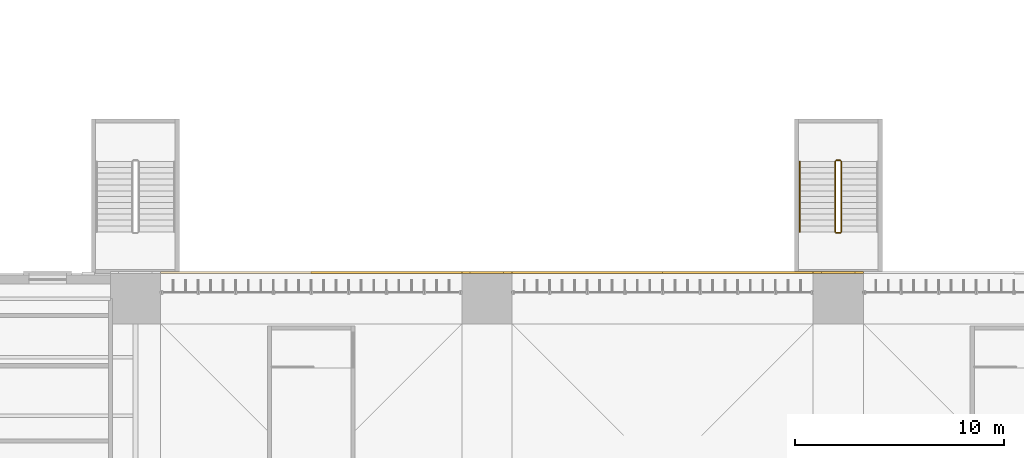
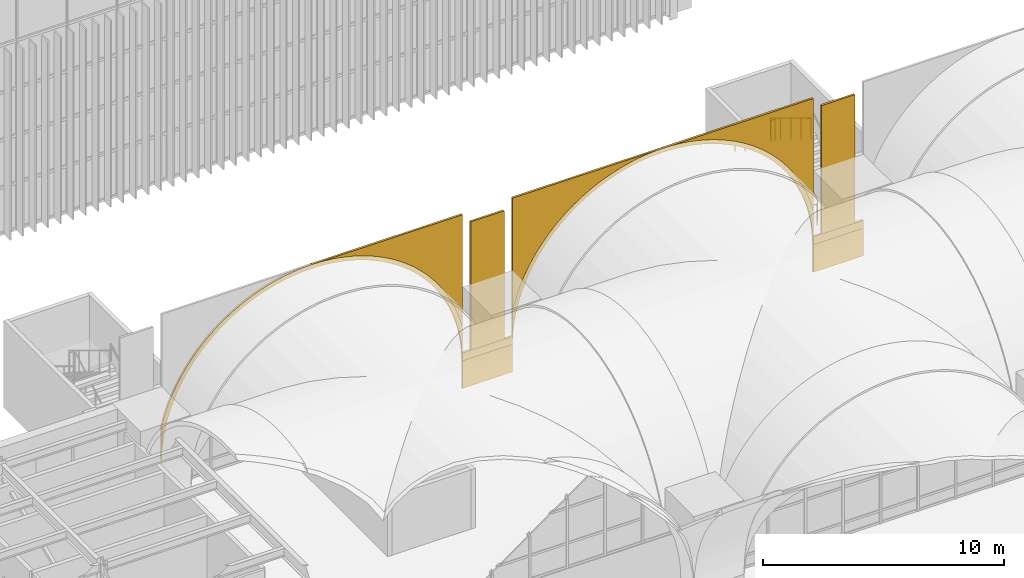
# One storey, part 152 of 169: 11 coverings, 5 railings.
"""IFC4 building model written with IfcOpenShell, lengths in metres."""

from ifc_helpers import new_model, si_unit, direction, frame, origin, origin_2d, place, context, subcontext, project, spatial, polyline, rectangle, circle, outline, extrude, material, layer, layer_set, type_object, element, save


model = new_model("IFC4")

# Units and contexts
model_context = context("Model", 3, precision=1e-05, world=origin(), true_north=direction((0.0, 1.0)))
body_context = subcontext(model_context, "Body", "Model", "MODEL_VIEW")
ifc_project = project(units=[si_unit("LENGTHUNIT", "METRE"), si_unit("AREAUNIT", "SQUARE_METRE"), si_unit("VOLUMEUNIT", "CUBIC_METRE"), si_unit("PLANEANGLEUNIT", "RADIAN"), si_unit("MASSUNIT", "GRAM", prefix="KILO")], contexts=[model_context])

# Site, building, storey
site_placement = place(None, origin())
site = spatial("IfcSite", under=ifc_project, at=site_placement, CompositionType="ELEMENT")
building_placement = place(site_placement, origin())
building = spatial("IfcBuilding", under=site, at=building_placement, Name="Verrick Yard Athletic Hall", CompositionType="ELEMENT")
storey_placement = place(building_placement, frame((0.0, 0.0, 4.39990234375)))
storey = spatial("IfcBuildingStorey", under=building, at=storey_placement, Name="L01", CompositionType="ELEMENT", Elevation=4.39990234375)

# Coverings
ifc_material_1 = material(Name="Limestone cladding", Category="masonry")
ifc_layer_1 = layer(ifc_material_1, 0.10009765625)
ifc_layer_set_1 = layer_set([ifc_layer_1], Name="Arch ring cladding")
covering_type_1 = type_object("IfcCoveringType", Name="Arch ring cladding", PredefinedType="CLADDING", material=ifc_layer_set_1)
covering_1_placement = place(storey_placement, frame((41.199951171875, 54.050048828125, 0.650146484375), z_axis=(0.0, 0.0, 1.0), x_axis=(1.0, 0.0, 0.0)))
element("IfcCovering", 1, at=covering_1_placement, inside=storey, type_object=covering_type_1, Name="Arch ring RN1", PredefinedType="CLADDING", context=body_context, shape_type="SweptSolid", body=[
    extrude(outline(polyline([(0.0, 1.7021484375), (0.0, 0.0), (0.0068359375, 0.31396484375), (0.02734375, 0.62744140625), (0.0615234375, 0.939697265625), (0.109375, 1.250244140625), (0.170654296875, 1.558349609375), (0.245361328125, 1.863525390625), (0.333251953125, 2.1650390625), (0.43408203125, 2.46240234375), (0.548095703125, 2.75537109375), (0.674560546875, 3.04296875), (0.8134765625, 3.324462890625), (0.964599609375, 3.599853515625), (1.127685546875, 3.86865234375), (1.302001953125, 4.129638671875), (1.48779296875, 4.383056640625), (1.6845703125, 4.6279296875), (1.8916015625, 4.8642578125), (2.10888671875, 5.091064453125), (2.335693359375, 5.308349609375), (2.572021484375, 5.515380859375), (2.81689453125, 5.712158203125), (3.0703125, 5.89794921875), (3.331298828125, 6.072265625), (3.60009765625, 6.2353515625), (3.87548828125, 6.386474609375), (4.156982421875, 6.525390625), (4.444580078125, 6.65185546875), (4.737548828125, 6.765869140625), (5.034912109375, 6.86669921875), (5.33642578125, 6.95458984375), (5.6416015625, 7.029296875), (5.94970703125, 7.090576171875), (6.26025390625, 7.138427734375), (6.572509765625, 7.172607421875), (6.885986328125, 7.193115234375), (7.199951171875, 7.199951171875), (7.51416015625, 7.193115234375), (7.827392578125, 7.172607421875), (8.139892578125, 7.138427734375), (8.4501953125, 7.090576171875), (8.75830078125, 7.029296875), (9.0634765625, 6.95458984375), (9.364990234375, 6.86669921875), (9.66259765625, 6.765869140625), (9.955322265625, 6.65185546875), (10.242919921875, 6.525390625), (10.524658203125, 6.386474609375), (10.800048828125, 6.2353515625), (11.068603515625, 6.072265625), (11.329833984375, 5.89794921875), (11.5830078125, 5.712158203125), (11.828125, 5.515380859375), (12.064208984375, 5.308349609375), (12.291259765625, 5.091064453125), (12.50830078125, 4.8642578125), (12.715576171875, 4.6279296875), (12.912109375, 4.383056640625), (13.097900390625, 4.129638671875), (13.2724609375, 3.86865234375), (13.435302734375, 3.599853515625), (13.58642578125, 3.324462890625), (13.725341796875, 3.04296875), (13.851806640625, 2.75537109375), (13.9658203125, 2.46240234375), (14.06689453125, 2.1650390625), (14.15478515625, 1.863525390625), (14.229248046875, 1.558349609375), (14.29052734375, 1.250244140625), (14.33837890625, 0.939697265625), (14.37255859375, 0.62744140625), (14.39306640625, 0.31396484375), (14.39990234375, 0.0), (14.39990234375, 1.7021484375), (14.347900390625, 1.915283203125), (14.257568359375, 2.22509765625), (14.15380859375, 2.53076171875), (14.03662109375, 2.831787109375), (13.90673828125, 3.12744140625), (13.763916015625, 3.416748046875), (13.608642578125, 3.699951171875), (13.441162109375, 3.975830078125), (13.26171875, 4.244384765625), (13.07080078125, 4.504638671875), (12.86865234375, 4.756591796875), (12.656005859375, 4.999267578125), (12.4326171875, 5.232666015625), (12.199462890625, 5.455810546875), (11.95654296875, 5.668701171875), (11.704833984375, 5.870849609375), (11.444580078125, 6.061767578125), (11.176025390625, 6.240966796875), (10.89990234375, 6.408447265625), (10.616943359375, 6.56396484375), (10.327392578125, 6.70654296875), (10.031982421875, 6.836669921875), (9.73095703125, 6.95361328125), (9.42529296875, 7.057373046875), (9.115234375, 7.14794921875), (8.8017578125, 7.224609375), (8.485107421875, 7.28759765625), (8.166015625, 7.336669921875), (7.844970703125, 7.371826171875), (7.522705078125, 7.39306640625), (7.199951171875, 7.39990234375), (6.877197265625, 7.39306640625), (6.554931640625, 7.371826171875), (6.234130859375, 7.336669921875), (5.9150390625, 7.28759765625), (5.598388671875, 7.224609375), (5.28466796875, 7.14794921875), (4.974853515625, 7.057373046875), (4.669189453125, 6.95361328125), (4.3681640625, 6.836669921875), (4.072509765625, 6.70654296875), (3.783203125, 6.56396484375), (3.5, 6.408447265625), (3.22412109375, 6.240966796875), (2.95556640625, 6.061767578125), (2.6953125, 5.870849609375), (2.443359375, 5.668701171875), (2.20068359375, 5.455810546875), (1.96728515625, 5.232666015625), (1.744140625, 4.999267578125), (1.53125, 4.756591796875), (1.3291015625, 4.504638671875), (1.13818359375, 4.244384765625), (0.958984375, 3.975830078125), (0.79150390625, 3.699951171875), (0.635986328125, 3.416748046875), (0.493408203125, 3.12744140625), (0.36328125, 2.831787109375), (0.246337890625, 2.53076171875), (0.142578125, 2.22509765625), (0.052001953125, 1.915283203125), (0.0, 1.7021484375)])), frame((0.0, 0.050048828125, 0.0), z_axis=(0.0, -1.0, 0.0), x_axis=(1.0, 0.0, 0.0)), (0.0, 0.0, 1.0), 0.10009765625),
])
covering_2_placement = place(storey_placement, frame((58.0, 54.050048828125, 0.650146484375), z_axis=(0.0, 0.0, 1.0), x_axis=(1.0, 0.0, 0.0)))
element("IfcCovering", 2, at=covering_2_placement, inside=storey, type_object=covering_type_1, Name="Arch ring RN2", PredefinedType="CLADDING", context=body_context, shape_type="SweptSolid", body=[
    extrude(outline(polyline([(0.0, 1.7021484375), (0.0, 0.0), (0.0068359375, 0.31396484375), (0.02734375, 0.62744140625), (0.0615234375, 0.939697265625), (0.109375, 1.250244140625), (0.170654296875, 1.558349609375), (0.245361328125, 1.863525390625), (0.333251953125, 2.1650390625), (0.43408203125, 2.46240234375), (0.548095703125, 2.75537109375), (0.674560546875, 3.04296875), (0.8134765625, 3.324462890625), (0.964599609375, 3.599853515625), (1.127685546875, 3.86865234375), (1.302001953125, 4.129638671875), (1.48779296875, 4.383056640625), (1.6845703125, 4.6279296875), (1.8916015625, 4.8642578125), (2.10888671875, 5.091064453125), (2.335693359375, 5.308349609375), (2.572021484375, 5.515380859375), (2.81689453125, 5.712158203125), (3.0703125, 5.89794921875), (3.331298828125, 6.072265625), (3.60009765625, 6.2353515625), (3.87548828125, 6.386474609375), (4.156982421875, 6.525390625), (4.444580078125, 6.65185546875), (4.737548828125, 6.765869140625), (5.034912109375, 6.86669921875), (5.33642578125, 6.95458984375), (5.6416015625, 7.029296875), (5.94970703125, 7.090576171875), (6.26025390625, 7.138427734375), (6.572509765625, 7.172607421875), (6.885986328125, 7.193115234375), (7.199951171875, 7.199951171875), (7.51416015625, 7.193115234375), (7.827392578125, 7.172607421875), (8.139892578125, 7.138427734375), (8.4501953125, 7.090576171875), (8.75830078125, 7.029296875), (9.0634765625, 6.95458984375), (9.364990234375, 6.86669921875), (9.66259765625, 6.765869140625), (9.955322265625, 6.65185546875), (10.242919921875, 6.525390625), (10.524658203125, 6.386474609375), (10.800048828125, 6.2353515625), (11.068603515625, 6.072265625), (11.329833984375, 5.89794921875), (11.5830078125, 5.712158203125), (11.828125, 5.515380859375), (12.064208984375, 5.308349609375), (12.291259765625, 5.091064453125), (12.50830078125, 4.8642578125), (12.715576171875, 4.6279296875), (12.912109375, 4.383056640625), (13.097900390625, 4.129638671875), (13.2724609375, 3.86865234375), (13.435302734375, 3.599853515625), (13.58642578125, 3.324462890625), (13.725341796875, 3.04296875), (13.851806640625, 2.75537109375), (13.9658203125, 2.46240234375), (14.06689453125, 2.1650390625), (14.15478515625, 1.863525390625), (14.229248046875, 1.558349609375), (14.29052734375, 1.250244140625), (14.33837890625, 0.939697265625), (14.37255859375, 0.62744140625), (14.39306640625, 0.31396484375), (14.39990234375, 0.0), (14.39990234375, 1.7021484375), (14.347900390625, 1.915283203125), (14.257568359375, 2.22509765625), (14.15380859375, 2.53076171875), (14.03662109375, 2.831787109375), (13.90673828125, 3.12744140625), (13.763916015625, 3.416748046875), (13.608642578125, 3.699951171875), (13.441162109375, 3.975830078125), (13.26171875, 4.244384765625), (13.07080078125, 4.504638671875), (12.86865234375, 4.756591796875), (12.656005859375, 4.999267578125), (12.4326171875, 5.232666015625), (12.199462890625, 5.455810546875), (11.95654296875, 5.668701171875), (11.704833984375, 5.870849609375), (11.444580078125, 6.061767578125), (11.176025390625, 6.240966796875), (10.89990234375, 6.408447265625), (10.616943359375, 6.56396484375), (10.327392578125, 6.70654296875), (10.031982421875, 6.836669921875), (9.73095703125, 6.95361328125), (9.42529296875, 7.057373046875), (9.115234375, 7.14794921875), (8.8017578125, 7.224609375), (8.485107421875, 7.28759765625), (8.166015625, 7.336669921875), (7.844970703125, 7.371826171875), (7.522705078125, 7.39306640625), (7.199951171875, 7.39990234375), (6.877197265625, 7.39306640625), (6.554931640625, 7.371826171875), (6.234130859375, 7.336669921875), (5.9150390625, 7.28759765625), (5.598388671875, 7.224609375), (5.28466796875, 7.14794921875), (4.974853515625, 7.057373046875), (4.669189453125, 6.95361328125), (4.3681640625, 6.836669921875), (4.072509765625, 6.70654296875), (3.783203125, 6.56396484375), (3.5, 6.408447265625), (3.22412109375, 6.240966796875), (2.95556640625, 6.061767578125), (2.6953125, 5.870849609375), (2.443359375, 5.668701171875), (2.20068359375, 5.455810546875), (1.96728515625, 5.232666015625), (1.744140625, 4.999267578125), (1.53125, 4.756591796875), (1.3291015625, 4.504638671875), (1.13818359375, 4.244384765625), (0.958984375, 3.975830078125), (0.79150390625, 3.699951171875), (0.635986328125, 3.416748046875), (0.493408203125, 3.12744140625), (0.36328125, 2.831787109375), (0.246337890625, 2.53076171875), (0.142578125, 2.22509765625), (0.052001953125, 1.915283203125), (0.0, 1.7021484375)])), frame((0.0, 0.050048828125, 0.0), z_axis=(0.0, -1.0, 0.0), x_axis=(1.0, 0.0, 0.0)), (0.0, 0.0, 1.0), 0.10009765625),
])
ifc_layer_2 = layer(ifc_material_1, 0.10009765625)
ifc_layer_set_2 = layer_set([ifc_layer_2], Name="Impost and capital moulding")
covering_type_2 = type_object("IfcCoveringType", Name="Impost and capital moulding", PredefinedType="MOLDING", material=ifc_layer_set_2)
for number, where, z_axis, x_axis, name in (
    (3, (56.800048828125, 54.050048828125, 0.650146484375), (0.0, 0.0, 1.0), (1.0, 0.0, 0.0), "Impost N2"),
    (4, (73.60009765625, 54.050048828125, 0.650146484375), (0.0, 0.0, 1.0), (1.0, 0.0, 0.0), "Impost N3"),
):
    element("IfcCovering", number, at=place(storey_placement, frame(where, z_axis=z_axis, x_axis=x_axis)), inside=storey, type_object=covering_type_2, Name=name, PredefinedType="MOLDING", context=body_context, shape_type="SweptSolid", body=[
        extrude(rectangle(XDim=2.39990234375, YDim=0.10009765625, at=origin_2d()), origin(), (0.0, 0.0, 1.0), 0.39990234375),
    ])
ifc_material_2 = material(Name="Rusticated limestone cladding", Category="masonry")
ifc_layer_3 = layer(ifc_material_2, 0.10009765625)
ifc_layer_set_3 = layer_set([ifc_layer_3], Name="Pier base cladding")
covering_type_3 = type_object("IfcCoveringType", Name="Pier base cladding", PredefinedType="CLADDING", material=ifc_layer_set_3)
for number, where, z_axis, x_axis, name in (
    (5, (56.800048828125, 54.050048828125, -0.749755859375), (0.0, 0.0, 1.0), (1.0, 0.0, 0.0), "Pier string N2"),
    (6, (73.60009765625, 54.050048828125, -0.749755859375), (0.0, 0.0, 1.0), (1.0, 0.0, 0.0), "Pier string N3"),
):
    element("IfcCovering", number, at=place(storey_placement, frame(where, z_axis=z_axis, x_axis=x_axis)), inside=storey, type_object=covering_type_3, Name=name, PredefinedType="CLADDING", context=body_context, shape_type="SweptSolid", body=[
        extrude(rectangle(XDim=2.39990234375, YDim=0.10009765625, at=origin_2d()), origin(), (0.0, 0.0, 1.0), 1.39990234375),
    ])
ifc_layer_4 = layer(ifc_material_1, 0.10009765625)
ifc_layer_set_4 = layer_set([ifc_layer_4], Name="Pilaster cladding")
covering_type_4 = type_object("IfcCoveringType", Name="Pilaster cladding", PredefinedType="CLADDING", material=ifc_layer_set_4)
for number, where, z_axis, x_axis, name in (
    (7, (56.800048828125, 54.050048828125, 1.050048828125), (0.0, 0.0, 1.0), (1.0, 0.0, 0.0), "Pilaster N2"),
    (8, (73.60009765625, 54.050048828125, 1.050048828125), (0.0, 0.0, 1.0), (1.0, 0.0, 0.0), "Pilaster N3"),
):
    element("IfcCovering", number, at=place(storey_placement, frame(where, z_axis=z_axis, x_axis=x_axis)), inside=storey, type_object=covering_type_4, Name=name, PredefinedType="CLADDING", context=body_context, shape_type="SweptSolid", body=[
        extrude(rectangle(XDim=1.60009765625, YDim=0.10009765625, at=origin_2d()), origin(), (0.0, 0.0, 1.0), 6.5),
    ])
ifc_layer_5 = layer(ifc_material_1, 0.10009765625)
ifc_layer_set_5 = layer_set([ifc_layer_5], Name="Spandrel cladding")
covering_type_5 = type_object("IfcCoveringType", Name="Spandrel cladding", PredefinedType="CLADDING", material=ifc_layer_set_5)
covering_3_placement = place(storey_placement, frame((41.199951171875, 54.050048828125, 2.352294921875), z_axis=(0.0, 0.0, 1.0), x_axis=(1.0, 0.0, 0.0)))
element("IfcCovering", 9, at=covering_3_placement, inside=storey, type_object=covering_type_5, Name="Spandrel RN1.2", PredefinedType="CLADDING", context=body_context, shape_type="SweptSolid", body=[
    extrude(outline(polyline([(7.199951171875, 5.69775390625), (7.522705078125, 5.69091796875), (7.844970703125, 5.669677734375), (8.166015625, 5.634521484375), (8.485107421875, 5.58544921875), (8.8017578125, 5.5224609375), (9.115234375, 5.44580078125), (9.42529296875, 5.355224609375), (9.73095703125, 5.25146484375), (10.031982421875, 5.134521484375), (10.327392578125, 5.00439453125), (10.616943359375, 4.86181640625), (10.89990234375, 4.706298828125), (11.176025390625, 4.538818359375), (11.444580078125, 4.359619140625), (11.704833984375, 4.168701171875), (11.95654296875, 3.966552734375), (12.199462890625, 3.753662109375), (12.4326171875, 3.530517578125), (12.656005859375, 3.297119140625), (12.86865234375, 3.054443359375), (13.07080078125, 2.802490234375), (13.26171875, 2.542236328125), (13.441162109375, 2.273681640625), (13.608642578125, 1.997802734375), (13.763916015625, 1.714599609375), (13.90673828125, 1.42529296875), (14.03662109375, 1.129638671875), (14.15380859375, 0.82861328125), (14.257568359375, 0.52294921875), (14.347900390625, 0.213134765625), (14.39990234375, 0.0), (14.39990234375, 5.69775390625), (7.199951171875, 5.69775390625)])), frame((0.0, 0.050048828125, 0.0), z_axis=(0.0, -1.0, 0.0), x_axis=(1.0, 0.0, 0.0)), (0.0, 0.0, 1.0), 0.10009765625),
])
covering_4_placement = place(storey_placement, frame((58.0, 54.050048828125, 2.352294921875), z_axis=(0.0, 0.0, 1.0), x_axis=(1.0, 0.0, 0.0)))
element("IfcCovering", 10, at=covering_4_placement, inside=storey, type_object=covering_type_5, Name="Spandrel RN2.1", PredefinedType="CLADDING", context=body_context, shape_type="SweptSolid", body=[
    extrude(outline(polyline([(0.0, 0.0), (0.052001953125, 0.213134765625), (0.142578125, 0.52294921875), (0.246337890625, 0.82861328125), (0.36328125, 1.129638671875), (0.493408203125, 1.42529296875), (0.635986328125, 1.714599609375), (0.79150390625, 1.997802734375), (0.958984375, 2.273681640625), (1.13818359375, 2.542236328125), (1.3291015625, 2.802490234375), (1.53125, 3.054443359375), (1.744140625, 3.297119140625), (1.96728515625, 3.530517578125), (2.20068359375, 3.753662109375), (2.443359375, 3.966552734375), (2.6953125, 4.168701171875), (2.95556640625, 4.359619140625), (3.22412109375, 4.538818359375), (3.5, 4.706298828125), (3.783203125, 4.86181640625), (4.072509765625, 5.00439453125), (4.3681640625, 5.134521484375), (4.669189453125, 5.25146484375), (4.974853515625, 5.355224609375), (5.28466796875, 5.44580078125), (5.598388671875, 5.5224609375), (5.9150390625, 5.58544921875), (6.234130859375, 5.634521484375), (6.554931640625, 5.669677734375), (6.877197265625, 5.69091796875), (7.199951171875, 5.69775390625), (0.0, 5.69775390625), (0.0, 0.0)])), frame((0.0, 0.050048828125, 0.0), z_axis=(0.0, -1.0, 0.0), x_axis=(1.0, 0.0, 0.0)), (0.0, 0.0, 1.0), 0.10009765625),
])
covering_5_placement = place(storey_placement, frame((58.0, 54.050048828125, 2.352294921875), z_axis=(0.0, 0.0, 1.0), x_axis=(1.0, 0.0, 0.0)))
element("IfcCovering", 11, at=covering_5_placement, inside=storey, type_object=covering_type_5, Name="Spandrel RN2.2", PredefinedType="CLADDING", context=body_context, shape_type="SweptSolid", body=[
    extrude(outline(polyline([(7.199951171875, 5.69775390625), (7.522705078125, 5.69091796875), (7.844970703125, 5.669677734375), (8.166015625, 5.634521484375), (8.485107421875, 5.58544921875), (8.8017578125, 5.5224609375), (9.115234375, 5.44580078125), (9.42529296875, 5.355224609375), (9.73095703125, 5.25146484375), (10.031982421875, 5.134521484375), (10.327392578125, 5.00439453125), (10.616943359375, 4.86181640625), (10.89990234375, 4.706298828125), (11.176025390625, 4.538818359375), (11.444580078125, 4.359619140625), (11.704833984375, 4.168701171875), (11.95654296875, 3.966552734375), (12.199462890625, 3.753662109375), (12.4326171875, 3.530517578125), (12.656005859375, 3.297119140625), (12.86865234375, 3.054443359375), (13.07080078125, 2.802490234375), (13.26171875, 2.542236328125), (13.441162109375, 2.273681640625), (13.608642578125, 1.997802734375), (13.763916015625, 1.714599609375), (13.90673828125, 1.42529296875), (14.03662109375, 1.129638671875), (14.15380859375, 0.82861328125), (14.257568359375, 0.52294921875), (14.347900390625, 0.213134765625), (14.39990234375, 0.0), (14.39990234375, 5.69775390625), (7.199951171875, 5.69775390625)])), frame((0.0, 0.050048828125, 0.0), z_axis=(0.0, -1.0, 0.0), x_axis=(1.0, 0.0, 0.0)), (0.0, 0.0, 1.0), 0.10009765625),
])

# Railings
ifc_material_3 = material(Name="Stainless steel", Category="steel")
railing_type_1 = type_object("IfcRailingType", Name="Stair and core guard 1100", PredefinedType="GUARDRAIL", material=ifc_material_3)
railing_1_placement = place(storey_placement, frame((73.75, 56.0, 0.16943359375)))
element("IfcRailing", 12, at=railing_1_placement, inside=storey, type_object=railing_type_1, Name="L01 North deck escape 3 stair guard 1", PredefinedType="GUARDRAIL", context=body_context, shape_type="SweptSolid", body=[
    extrude(circle(Radius=0.02392578125, at=origin_2d()), frame((0.0, 0.0, 1.076171875), z_axis=(0.0, 0.855836976705, 0.517245656632), x_axis=(-1.0, 0.0, 0.0)), (0.0, 0.0, 1.0), 3.926025390625),
    extrude(circle(Radius=0.02099609375, at=origin_2d()), origin(), (0.0, 0.0, 1.0), 1.052001953125),
    extrude(circle(Radius=0.02099609375, at=origin_2d()), frame((0.0, 0.840087890625, 0.5078125)), (0.0, 0.0, 1.0), 1.052001953125),
    extrude(circle(Radius=0.02099609375, at=origin_2d()), frame((0.0, 1.68017578125, 1.015380859375)), (0.0, 0.0, 1.0), 1.052001953125),
    extrude(circle(Radius=0.02099609375, at=origin_2d()), frame((0.0, 2.52001953125, 1.52294921875)), (0.0, 0.0, 1.0), 1.052001953125),
    extrude(circle(Radius=0.02099609375, at=origin_2d()), frame((0.0, 3.360107421875, 2.03076171875)), (0.0, 0.0, 1.0), 1.052001953125),
])
railing_2_placement = place(storey_placement, frame((73.699951171875, 59.409912109375, 2.2001953125)))
element("IfcRailing", 13, at=railing_2_placement, inside=storey, type_object=railing_type_1, Name="L01 North deck escape 3 stair guard 2", PredefinedType="GUARDRAIL", context=body_context, shape_type="SweptSolid", body=[
    extrude(circle(Radius=0.02392578125, at=origin_2d()), frame((0.0, 0.0, 1.076171875), z_axis=(-1.0, 0.0, 0.0), x_axis=(0.0, -1.0, 0.0)), (0.0, 0.0, 1.0), 0.199951171875),
    extrude(circle(Radius=0.02099609375, at=origin_2d()), origin(), (0.0, 0.0, 1.0), 1.052001953125),
    extrude(circle(Radius=0.02099609375, at=origin_2d()), frame((-0.199951171875, 0.0, 0.0)), (0.0, 0.0, 1.0), 1.052001953125),
])
railing_3_placement = place(storey_placement, frame((73.449951171875, 59.360107421875, 2.369384765625)))
element("IfcRailing", 14, at=railing_3_placement, inside=storey, type_object=railing_type_1, Name="L01 North deck escape 3 stair guard 3", PredefinedType="GUARDRAIL", context=body_context, shape_type="SweptSolid", body=[
    extrude(circle(Radius=0.02392578125, at=origin_2d()), frame((0.0, 0.0, 1.076171875), z_axis=(0.0, -0.855836976705, 0.517245656632), x_axis=(1.0, 0.0, 0.0)), (0.0, 0.0, 1.0), 3.926025390625),
    extrude(circle(Radius=0.02099609375, at=origin_2d()), origin(), (0.0, 0.0, 1.0), 1.052001953125),
    extrude(circle(Radius=0.02099609375, at=origin_2d()), frame((0.0, -0.840087890625, 0.5078125)), (0.0, 0.0, 1.0), 1.052001953125),
    extrude(circle(Radius=0.02099609375, at=origin_2d()), frame((0.0, -1.68017578125, 1.015380859375)), (0.0, 0.0, 1.0), 1.052001953125),
    extrude(circle(Radius=0.02099609375, at=origin_2d()), frame((0.0, -2.52001953125, 1.52294921875)), (0.0, 0.0, 1.0), 1.052001953125),
    extrude(circle(Radius=0.02099609375, at=origin_2d()), frame((0.0, -3.360107421875, 2.03076171875)), (0.0, 0.0, 1.0), 1.052001953125),
])
railing_4_placement = place(storey_placement, frame((73.699951171875, 55.949951171875, 0.0)))
element("IfcRailing", 15, at=railing_4_placement, inside=storey, type_object=railing_type_1, Name="L01 North deck escape 3 stair guard 4", PredefinedType="GUARDRAIL", context=body_context, shape_type="SweptSolid", body=[
    extrude(circle(Radius=0.02392578125, at=origin_2d()), frame((0.0, 0.0, 1.076171875), z_axis=(-1.0, 0.0, 0.0), x_axis=(0.0, -1.0, 0.0)), (0.0, 0.0, 1.0), 0.199951171875),
    extrude(circle(Radius=0.02099609375, at=origin_2d()), origin(), (0.0, 0.0, 1.0), 1.052001953125),
    extrude(circle(Radius=0.02099609375, at=origin_2d()), frame((-0.199951171875, 0.0, 0.0)), (0.0, 0.0, 1.0), 1.052001953125),
])
railing_type_2 = type_object("IfcRailingType", Name="Stair handrail 900", PredefinedType="HANDRAIL", material=ifc_material_3)
railing_5_placement = place(storey_placement, frame((71.75, 59.360107421875, 2.369384765625)))
element("IfcRailing", 16, at=railing_5_placement, inside=storey, type_object=railing_type_2, Name="L01 North deck escape 3 stair handrail 2", PredefinedType="HANDRAIL", context=body_context, shape_type="SweptSolid", body=[
    extrude(circle(Radius=0.02392578125, at=origin_2d()), frame((0.0, 0.0, 0.8759765625), z_axis=(0.0, -0.855836976705, 0.517245656632), x_axis=(1.0, 0.0, 0.0)), (0.0, 0.0, 1.0), 3.926025390625),
    extrude(circle(Radius=0.02099609375, at=origin_2d()), origin(), (0.0, 0.0, 1.0), 0.851806640625),
    extrude(circle(Radius=0.02099609375, at=origin_2d()), frame((0.0, -0.840087890625, 0.5078125)), (0.0, 0.0, 1.0), 0.851806640625),
    extrude(circle(Radius=0.02099609375, at=origin_2d()), frame((0.0, -1.68017578125, 1.015380859375)), (0.0, 0.0, 1.0), 0.851806640625),
    extrude(circle(Radius=0.02099609375, at=origin_2d()), frame((0.0, -2.52001953125, 1.52294921875)), (0.0, 0.0, 1.0), 0.851806640625),
    extrude(circle(Radius=0.02099609375, at=origin_2d()), frame((0.0, -3.360107421875, 2.03076171875)), (0.0, 0.0, 1.0), 0.851806640625),
])

save(model, "model.ifc")
